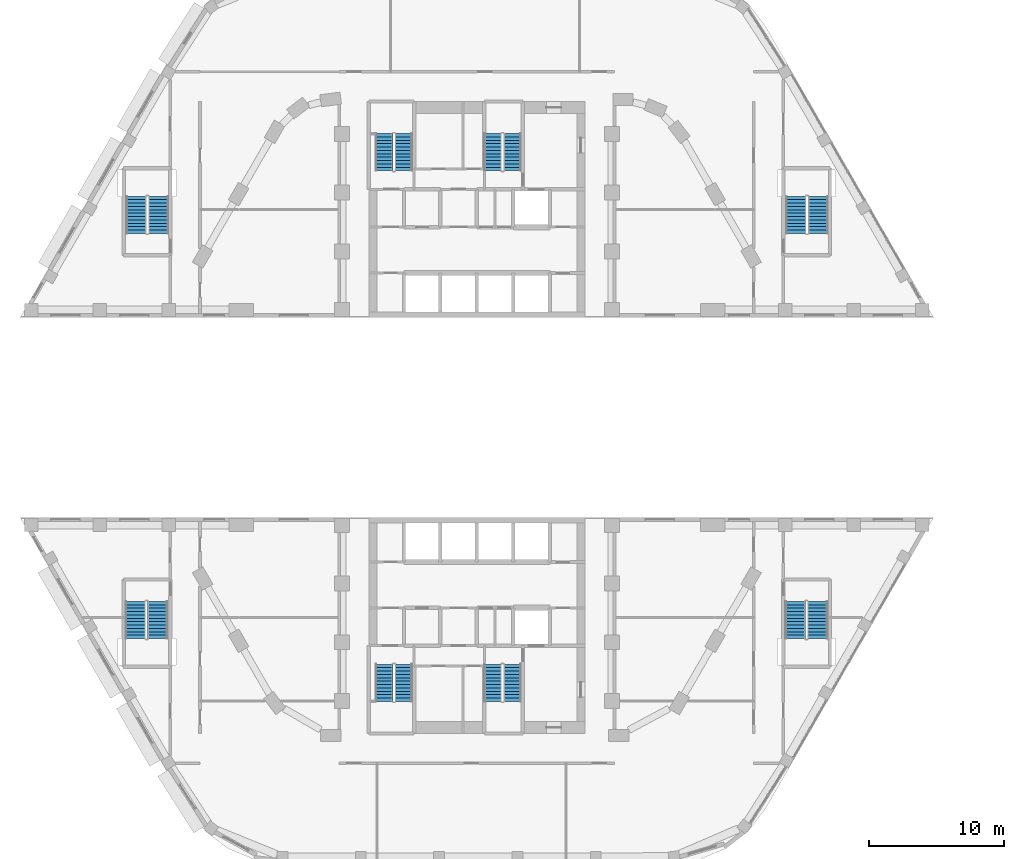
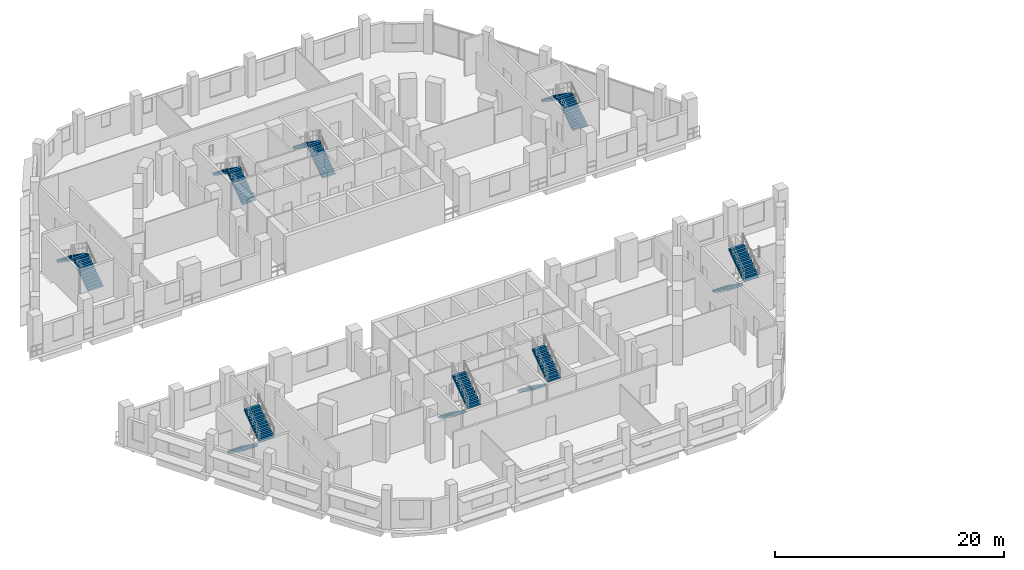
# One storey, part 26 of 33: 16 stair flights, 8 elements without a shape of their own.
"""IFC4 building model written with IfcOpenShell, lengths in metres."""

from ifc_helpers import new_model, si_unit, direction, frame, origin, place, context, subcontext, project, spatial, polyline, outline, extrude, material, type_object, element, aggregate, save


model = new_model("IFC4")

# Units and contexts
model_context = context("Model", 3, precision=1e-05, world=origin(), true_north=direction((0.0, 1.0)))
body_context = subcontext(model_context, "Body", "Model", "MODEL_VIEW")
ifc_project = project(units=[si_unit("LENGTHUNIT", "METRE"), si_unit("AREAUNIT", "SQUARE_METRE"), si_unit("VOLUMEUNIT", "CUBIC_METRE"), si_unit("PLANEANGLEUNIT", "RADIAN"), si_unit("MASSUNIT", "GRAM", prefix="KILO")], contexts=[model_context])

# Site, building, storey
site_placement = place(None, origin())
site = spatial("IfcSite", under=ifc_project, at=site_placement, CompositionType="ELEMENT")
building_placement = place(site_placement, origin())
building = spatial("IfcBuilding", under=site, at=building_placement, Name="Nakaniwa Court", CompositionType="ELEMENT")
storey_placement = place(building_placement, frame((0.0, 0.0, 19.800048828125)))
storey = spatial("IfcBuildingStorey", under=building, at=storey_placement, Name="L04", CompositionType="ELEMENT", Elevation=19.800048828125)

# Stair, stair flights
ifc_material = material(Name="Concrete C80/100", Category="concrete")
stair_type_1 = type_object("IfcStairType", Name="Dog leg stair 1300 wide 24 risers", PredefinedType="HALF_TURN_STAIR", material=ifc_material)
stair_1_placement = place(storey_placement, origin())
stair_1 = element("IfcStair", 1, at=stair_1_placement, inside=storey, type_object=stair_type_1, Name="L04 Stair ST1", PredefinedType="HALF_TURN_STAIR")
stair_flight_type_1 = type_object("IfcStairFlightType", Name="Stair flight 1300 wide 12 risers", PredefinedType="STRAIGHT", material=ifc_material)
stair_flight_1_placement = place(storey_placement, frame((74.574951171875, 98.27490234375, 0.0), z_axis=(0.0, 0.0, 1.0), x_axis=(0.0, 1.0, 0.0)))
stair_flight_1 = element("IfcStairFlight", 2, at=stair_flight_1_placement, type_object=stair_flight_type_1, Name="ST1 flight 1", NumberOfRisers=12, NumberOfTreads=11, PredefinedType="STRAIGHT", RiserHeight=0.175, TreadLength=0.25, context=body_context, shape_type="SweptSolid", body=[
    extrude(outline(polyline([(0.0, 0.0), (0.0, 0.02490234375), (0.0, 0.050048828125), (0.0, 0.074951171875), (0.0, 0.10009765625), (0.0, 0.125), (0.0, 0.14990234375), (0.0, 0.175048828125), (0.25, 0.175048828125), (0.25, 0.35009765625), (0.5, 0.35009765625), (0.5, 0.52490234375), (0.75, 0.52490234375), (0.75, 0.699951171875), (1.0, 0.699951171875), (1.0, 0.875), (1.25, 0.875), (1.25, 1.050048828125), (1.5, 1.050048828125), (1.5, 1.22509765625), (1.75, 1.22509765625), (1.75, 1.39990234375), (2.0, 1.39990234375), (2.0, 1.574951171875), (2.25, 1.574951171875), (2.25, 1.75), (2.5, 1.75), (2.5, 1.925048828125), (2.75, 1.925048828125), (2.75, 2.10009765625), (2.75, 2.048828125), (2.75, 1.997802734375), (2.75, 1.946533203125), (2.75, 1.8955078125), (2.75, 1.84423828125), (2.75, 1.793212890625), (2.75, 1.741943359375), (0.261474609375, 0.0), (0.0, 0.0)])), frame((0.0, 0.64990234375, 0.0), z_axis=(0.0, -1.0, 0.0), x_axis=(1.0, 0.0, 0.0)), (0.0, 0.0, 1.0), 1.300048828125),
])
stair_flight_2_placement = place(storey_placement, frame((73.125, 101.02490234375, 2.099853515625), z_axis=(0.0, 0.0, 1.0), x_axis=(0.0, -1.0, 0.0)))
stair_flight_2 = element("IfcStairFlight", 3, at=stair_flight_2_placement, type_object=stair_flight_type_1, Name="ST1 flight 2", NumberOfRisers=12, NumberOfTreads=11, PredefinedType="STRAIGHT", RiserHeight=0.175, TreadLength=0.25, context=body_context, shape_type="SweptSolid", body=[
    extrude(outline(polyline([(0.0, 0.0), (0.0, 0.02490234375), (0.0, 0.050048828125), (0.0, 0.074951171875), (0.0, 0.10009765625), (0.0, 0.125), (0.0, 0.14990234375), (0.0, 0.175048828125), (0.25, 0.175048828125), (0.25, 0.35009765625), (0.5, 0.35009765625), (0.5, 0.52490234375), (0.75, 0.52490234375), (0.75, 0.699951171875), (1.0, 0.699951171875), (1.0, 0.875), (1.25, 0.875), (1.25, 1.050048828125), (1.5, 1.050048828125), (1.5, 1.22509765625), (1.75, 1.22509765625), (1.75, 1.39990234375), (2.0, 1.39990234375), (2.0, 1.574951171875), (2.25, 1.574951171875), (2.25, 1.75), (2.5, 1.75), (2.5, 1.925048828125), (2.75, 1.925048828125), (2.75, 2.10009765625), (2.75, 2.048828125), (2.75, 1.997802734375), (2.75, 1.946533203125), (2.75, 1.8955078125), (2.75, 1.84423828125), (2.75, 1.793212890625), (2.75, 1.741943359375), (0.261474609375, 0.0), (0.0, 0.0)])), frame((0.0, 0.64990234375, 0.0), z_axis=(0.0, -1.0, 0.0), x_axis=(1.0, 0.0, 0.0)), (0.0, 0.0, 1.0), 1.300048828125),
])
aggregate(stair_1, [stair_flight_1, stair_flight_2])

stair_2_placement = place(storey_placement, origin())
stair_2 = element("IfcStair", 4, at=stair_2_placement, inside=storey, type_object=stair_type_1, Name="L04 Stair ST2", PredefinedType="HALF_TURN_STAIR")
stair_flight_3_placement = place(storey_placement, frame((82.625, 98.27490234375, 0.0), z_axis=(0.0, 0.0, 1.0), x_axis=(0.0, 1.0, 0.0)))
stair_flight_3 = element("IfcStairFlight", 5, at=stair_flight_3_placement, type_object=stair_flight_type_1, Name="ST2 flight 1", NumberOfRisers=12, NumberOfTreads=11, PredefinedType="STRAIGHT", RiserHeight=0.175, TreadLength=0.25, context=body_context, shape_type="SweptSolid", body=[
    extrude(outline(polyline([(0.0, 0.0), (0.0, 0.02490234375), (0.0, 0.050048828125), (0.0, 0.074951171875), (0.0, 0.10009765625), (0.0, 0.125), (0.0, 0.14990234375), (0.0, 0.175048828125), (0.25, 0.175048828125), (0.25, 0.35009765625), (0.5, 0.35009765625), (0.5, 0.52490234375), (0.75, 0.52490234375), (0.75, 0.699951171875), (1.0, 0.699951171875), (1.0, 0.875), (1.25, 0.875), (1.25, 1.050048828125), (1.5, 1.050048828125), (1.5, 1.22509765625), (1.75, 1.22509765625), (1.75, 1.39990234375), (2.0, 1.39990234375), (2.0, 1.574951171875), (2.25, 1.574951171875), (2.25, 1.75), (2.5, 1.75), (2.5, 1.925048828125), (2.75, 1.925048828125), (2.75, 2.10009765625), (2.75, 2.048828125), (2.75, 1.997802734375), (2.75, 1.946533203125), (2.75, 1.8955078125), (2.75, 1.84423828125), (2.75, 1.793212890625), (2.75, 1.741943359375), (0.261474609375, 0.0), (0.0, 0.0)])), frame((0.0, 0.64990234375, 0.0), z_axis=(0.0, -1.0, 0.0), x_axis=(1.0, 0.0, 0.0)), (0.0, 0.0, 1.0), 1.300048828125),
])
stair_flight_4_placement = place(storey_placement, frame((81.175048828125, 101.02490234375, 2.099853515625), z_axis=(0.0, 0.0, 1.0), x_axis=(0.0, -1.0, 0.0)))
stair_flight_4 = element("IfcStairFlight", 6, at=stair_flight_4_placement, type_object=stair_flight_type_1, Name="ST2 flight 2", NumberOfRisers=12, NumberOfTreads=11, PredefinedType="STRAIGHT", RiserHeight=0.175, TreadLength=0.25, context=body_context, shape_type="SweptSolid", body=[
    extrude(outline(polyline([(0.0, 0.0), (0.0, 0.02490234375), (0.0, 0.050048828125), (0.0, 0.074951171875), (0.0, 0.10009765625), (0.0, 0.125), (0.0, 0.14990234375), (0.0, 0.175048828125), (0.25, 0.175048828125), (0.25, 0.35009765625), (0.5, 0.35009765625), (0.5, 0.52490234375), (0.75, 0.52490234375), (0.75, 0.699951171875), (1.0, 0.699951171875), (1.0, 0.875), (1.25, 0.875), (1.25, 1.050048828125), (1.5, 1.050048828125), (1.5, 1.22509765625), (1.75, 1.22509765625), (1.75, 1.39990234375), (2.0, 1.39990234375), (2.0, 1.574951171875), (2.25, 1.574951171875), (2.25, 1.75), (2.5, 1.75), (2.5, 1.925048828125), (2.75, 1.925048828125), (2.75, 2.10009765625), (2.75, 2.048828125), (2.75, 1.997802734375), (2.75, 1.946533203125), (2.75, 1.8955078125), (2.75, 1.84423828125), (2.75, 1.793212890625), (2.75, 1.741943359375), (0.261474609375, 0.0), (0.0, 0.0)])), frame((0.0, 0.64990234375, 0.0), z_axis=(0.0, -1.0, 0.0), x_axis=(1.0, 0.0, 0.0)), (0.0, 0.0, 1.0), 1.300048828125),
])
aggregate(stair_2, [stair_flight_3, stair_flight_4])

stair_3_placement = place(storey_placement, origin())
stair_3 = element("IfcStair", 7, at=stair_3_placement, inside=storey, type_object=stair_type_1, Name="L04 Stair ST3", PredefinedType="HALF_TURN_STAIR")
stair_flight_5_placement = place(storey_placement, frame((73.125, 61.72509765625, 0.0), z_axis=(0.0, 0.0, 1.0), x_axis=(0.0, -1.0, 0.0)))
stair_flight_5 = element("IfcStairFlight", 8, at=stair_flight_5_placement, type_object=stair_flight_type_1, Name="ST3 flight 1", NumberOfRisers=12, NumberOfTreads=11, PredefinedType="STRAIGHT", RiserHeight=0.175, TreadLength=0.25, context=body_context, shape_type="SweptSolid", body=[
    extrude(outline(polyline([(0.0, 0.0), (0.0, 0.02490234375), (0.0, 0.050048828125), (0.0, 0.074951171875), (0.0, 0.10009765625), (0.0, 0.125), (0.0, 0.14990234375), (0.0, 0.175048828125), (0.25, 0.175048828125), (0.25, 0.35009765625), (0.5, 0.35009765625), (0.5, 0.52490234375), (0.75, 0.52490234375), (0.75, 0.699951171875), (1.0, 0.699951171875), (1.0, 0.875), (1.25, 0.875), (1.25, 1.050048828125), (1.5, 1.050048828125), (1.5, 1.22509765625), (1.75, 1.22509765625), (1.75, 1.39990234375), (2.0, 1.39990234375), (2.0, 1.574951171875), (2.25, 1.574951171875), (2.25, 1.75), (2.5, 1.75), (2.5, 1.925048828125), (2.75, 1.925048828125), (2.75, 2.10009765625), (2.75, 2.048828125), (2.75, 1.997802734375), (2.75, 1.946533203125), (2.75, 1.8955078125), (2.75, 1.84423828125), (2.75, 1.793212890625), (2.75, 1.741943359375), (0.261474609375, 0.0), (0.0, 0.0)])), frame((0.0, 0.64990234375, 0.0), z_axis=(0.0, -1.0, 0.0), x_axis=(1.0, 0.0, 0.0)), (0.0, 0.0, 1.0), 1.300048828125),
])
stair_flight_6_placement = place(storey_placement, frame((74.574951171875, 58.97509765625, 2.099853515625), z_axis=(0.0, 0.0, 1.0), x_axis=(0.0, 1.0, 0.0)))
stair_flight_6 = element("IfcStairFlight", 9, at=stair_flight_6_placement, type_object=stair_flight_type_1, Name="ST3 flight 2", NumberOfRisers=12, NumberOfTreads=11, PredefinedType="STRAIGHT", RiserHeight=0.175, TreadLength=0.25, context=body_context, shape_type="SweptSolid", body=[
    extrude(outline(polyline([(0.0, 0.0), (0.0, 0.02490234375), (0.0, 0.050048828125), (0.0, 0.074951171875), (0.0, 0.10009765625), (0.0, 0.125), (0.0, 0.14990234375), (0.0, 0.175048828125), (0.25, 0.175048828125), (0.25, 0.35009765625), (0.5, 0.35009765625), (0.5, 0.52490234375), (0.75, 0.52490234375), (0.75, 0.699951171875), (1.0, 0.699951171875), (1.0, 0.875), (1.25, 0.875), (1.25, 1.050048828125), (1.5, 1.050048828125), (1.5, 1.22509765625), (1.75, 1.22509765625), (1.75, 1.39990234375), (2.0, 1.39990234375), (2.0, 1.574951171875), (2.25, 1.574951171875), (2.25, 1.75), (2.5, 1.75), (2.5, 1.925048828125), (2.75, 1.925048828125), (2.75, 2.10009765625), (2.75, 2.048828125), (2.75, 1.997802734375), (2.75, 1.946533203125), (2.75, 1.8955078125), (2.75, 1.84423828125), (2.75, 1.793212890625), (2.75, 1.741943359375), (0.261474609375, 0.0), (0.0, 0.0)])), frame((0.0, 0.64990234375, 0.0), z_axis=(0.0, -1.0, 0.0), x_axis=(1.0, 0.0, 0.0)), (0.0, 0.0, 1.0), 1.300048828125),
])
aggregate(stair_3, [stair_flight_5, stair_flight_6])

stair_4_placement = place(storey_placement, origin())
stair_4 = element("IfcStair", 10, at=stair_4_placement, inside=storey, type_object=stair_type_1, Name="L04 Stair ST4", PredefinedType="HALF_TURN_STAIR")
stair_flight_7_placement = place(storey_placement, frame((81.175048828125, 61.72509765625, 0.0), z_axis=(0.0, 0.0, 1.0), x_axis=(0.0, -1.0, 0.0)))
stair_flight_7 = element("IfcStairFlight", 11, at=stair_flight_7_placement, type_object=stair_flight_type_1, Name="ST4 flight 1", NumberOfRisers=12, NumberOfTreads=11, PredefinedType="STRAIGHT", RiserHeight=0.175, TreadLength=0.25, context=body_context, shape_type="SweptSolid", body=[
    extrude(outline(polyline([(0.0, 0.0), (0.0, 0.02490234375), (0.0, 0.050048828125), (0.0, 0.074951171875), (0.0, 0.10009765625), (0.0, 0.125), (0.0, 0.14990234375), (0.0, 0.175048828125), (0.25, 0.175048828125), (0.25, 0.35009765625), (0.5, 0.35009765625), (0.5, 0.52490234375), (0.75, 0.52490234375), (0.75, 0.699951171875), (1.0, 0.699951171875), (1.0, 0.875), (1.25, 0.875), (1.25, 1.050048828125), (1.5, 1.050048828125), (1.5, 1.22509765625), (1.75, 1.22509765625), (1.75, 1.39990234375), (2.0, 1.39990234375), (2.0, 1.574951171875), (2.25, 1.574951171875), (2.25, 1.75), (2.5, 1.75), (2.5, 1.925048828125), (2.75, 1.925048828125), (2.75, 2.10009765625), (2.75, 2.048828125), (2.75, 1.997802734375), (2.75, 1.946533203125), (2.75, 1.8955078125), (2.75, 1.84423828125), (2.75, 1.793212890625), (2.75, 1.741943359375), (0.261474609375, 0.0), (0.0, 0.0)])), frame((0.0, 0.64990234375, 0.0), z_axis=(0.0, -1.0, 0.0), x_axis=(1.0, 0.0, 0.0)), (0.0, 0.0, 1.0), 1.300048828125),
])
stair_flight_8_placement = place(storey_placement, frame((82.625, 58.97509765625, 2.099853515625), z_axis=(0.0, 0.0, 1.0), x_axis=(0.0, 1.0, 0.0)))
stair_flight_8 = element("IfcStairFlight", 12, at=stair_flight_8_placement, type_object=stair_flight_type_1, Name="ST4 flight 2", NumberOfRisers=12, NumberOfTreads=11, PredefinedType="STRAIGHT", RiserHeight=0.175, TreadLength=0.25, context=body_context, shape_type="SweptSolid", body=[
    extrude(outline(polyline([(0.0, 0.0), (0.0, 0.02490234375), (0.0, 0.050048828125), (0.0, 0.074951171875), (0.0, 0.10009765625), (0.0, 0.125), (0.0, 0.14990234375), (0.0, 0.175048828125), (0.25, 0.175048828125), (0.25, 0.35009765625), (0.5, 0.35009765625), (0.5, 0.52490234375), (0.75, 0.52490234375), (0.75, 0.699951171875), (1.0, 0.699951171875), (1.0, 0.875), (1.25, 0.875), (1.25, 1.050048828125), (1.5, 1.050048828125), (1.5, 1.22509765625), (1.75, 1.22509765625), (1.75, 1.39990234375), (2.0, 1.39990234375), (2.0, 1.574951171875), (2.25, 1.574951171875), (2.25, 1.75), (2.5, 1.75), (2.5, 1.925048828125), (2.75, 1.925048828125), (2.75, 2.10009765625), (2.75, 2.048828125), (2.75, 1.997802734375), (2.75, 1.946533203125), (2.75, 1.8955078125), (2.75, 1.84423828125), (2.75, 1.793212890625), (2.75, 1.741943359375), (0.261474609375, 0.0), (0.0, 0.0)])), frame((0.0, 0.64990234375, 0.0), z_axis=(0.0, -1.0, 0.0), x_axis=(1.0, 0.0, 0.0)), (0.0, 0.0, 1.0), 1.300048828125),
])
aggregate(stair_4, [stair_flight_7, stair_flight_8])

stair_type_2 = type_object("IfcStairType", Name="Dog leg stair 1500 wide 24 risers", PredefinedType="HALF_TURN_STAIR", material=ifc_material)
stair_5_placement = place(storey_placement, origin())
stair_5 = element("IfcStair", 13, at=stair_5_placement, inside=storey, type_object=stair_type_2, Name="L04 Stair SS1", PredefinedType="HALF_TURN_STAIR")
stair_flight_type_2 = type_object("IfcStairFlightType", Name="Stair flight 1500 wide 12 risers", PredefinedType="STRAIGHT", material=ifc_material)
stair_flight_9_placement = place(storey_placement, frame((105.27490234375, 93.625, 0.0), z_axis=(0.0, 0.0, 1.0), x_axis=(0.0, 1.0, 0.0)))
stair_flight_9 = element("IfcStairFlight", 14, at=stair_flight_9_placement, type_object=stair_flight_type_2, Name="SS1 flight 1", NumberOfRisers=12, NumberOfTreads=11, PredefinedType="STRAIGHT", RiserHeight=0.175, TreadLength=0.25, context=body_context, shape_type="SweptSolid", body=[
    extrude(outline(polyline([(0.0, 0.0), (0.0, 0.02490234375), (0.0, 0.050048828125), (0.0, 0.074951171875), (0.0, 0.10009765625), (0.0, 0.125), (0.0, 0.14990234375), (0.0, 0.175048828125), (0.25, 0.175048828125), (0.25, 0.35009765625), (0.5, 0.35009765625), (0.5, 0.52490234375), (0.75, 0.52490234375), (0.75, 0.699951171875), (1.0, 0.699951171875), (1.0, 0.875), (1.25, 0.875), (1.25, 1.050048828125), (1.5, 1.050048828125), (1.5, 1.22509765625), (1.75, 1.22509765625), (1.75, 1.39990234375), (2.0, 1.39990234375), (2.0, 1.574951171875), (2.25, 1.574951171875), (2.25, 1.75), (2.5, 1.75), (2.5, 1.925048828125), (2.75, 1.925048828125), (2.75, 2.10009765625), (2.75, 2.048828125), (2.75, 1.997802734375), (2.75, 1.946533203125), (2.75, 1.8955078125), (2.75, 1.84423828125), (2.75, 1.793212890625), (2.75, 1.741943359375), (0.261474609375, 0.0), (0.0, 0.0)])), frame((0.0, 0.75, 0.0), z_axis=(0.0, -1.0, 0.0), x_axis=(1.0, 0.0, 0.0)), (0.0, 0.0, 1.0), 1.5),
])
stair_flight_10_placement = place(storey_placement, frame((103.625, 96.375, 2.099853515625), z_axis=(0.0, 0.0, 1.0), x_axis=(0.0, -1.0, 0.0)))
stair_flight_10 = element("IfcStairFlight", 15, at=stair_flight_10_placement, type_object=stair_flight_type_2, Name="SS1 flight 2", NumberOfRisers=12, NumberOfTreads=11, PredefinedType="STRAIGHT", RiserHeight=0.175, TreadLength=0.25, context=body_context, shape_type="SweptSolid", body=[
    extrude(outline(polyline([(0.0, 0.0), (0.0, 0.02490234375), (0.0, 0.050048828125), (0.0, 0.074951171875), (0.0, 0.10009765625), (0.0, 0.125), (0.0, 0.14990234375), (0.0, 0.175048828125), (0.25, 0.175048828125), (0.25, 0.35009765625), (0.5, 0.35009765625), (0.5, 0.52490234375), (0.75, 0.52490234375), (0.75, 0.699951171875), (1.0, 0.699951171875), (1.0, 0.875), (1.25, 0.875), (1.25, 1.050048828125), (1.5, 1.050048828125), (1.5, 1.22509765625), (1.75, 1.22509765625), (1.75, 1.39990234375), (2.0, 1.39990234375), (2.0, 1.574951171875), (2.25, 1.574951171875), (2.25, 1.75), (2.5, 1.75), (2.5, 1.925048828125), (2.75, 1.925048828125), (2.75, 2.10009765625), (2.75, 2.048828125), (2.75, 1.997802734375), (2.75, 1.946533203125), (2.75, 1.8955078125), (2.75, 1.84423828125), (2.75, 1.793212890625), (2.75, 1.741943359375), (0.261474609375, 0.0), (0.0, 0.0)])), frame((0.0, 0.75, 0.0), z_axis=(0.0, -1.0, 0.0), x_axis=(1.0, 0.0, 0.0)), (0.0, 0.0, 1.0), 1.5),
])
aggregate(stair_5, [stair_flight_9, stair_flight_10])

stair_6_placement = place(storey_placement, origin())
stair_6 = element("IfcStair", 16, at=stair_6_placement, inside=storey, type_object=stair_type_2, Name="L04 Stair SS2", PredefinedType="HALF_TURN_STAIR")
stair_flight_11_placement = place(storey_placement, frame((56.425048828125, 93.625, 0.0), z_axis=(0.0, 0.0, 1.0), x_axis=(0.0, 1.0, 0.0)))
stair_flight_11 = element("IfcStairFlight", 17, at=stair_flight_11_placement, type_object=stair_flight_type_2, Name="SS2 flight 1", NumberOfRisers=12, NumberOfTreads=11, PredefinedType="STRAIGHT", RiserHeight=0.175, TreadLength=0.25, context=body_context, shape_type="SweptSolid", body=[
    extrude(outline(polyline([(0.0, 0.0), (0.0, 0.02490234375), (0.0, 0.050048828125), (0.0, 0.074951171875), (0.0, 0.10009765625), (0.0, 0.125), (0.0, 0.14990234375), (0.0, 0.175048828125), (0.25, 0.175048828125), (0.25, 0.35009765625), (0.5, 0.35009765625), (0.5, 0.52490234375), (0.75, 0.52490234375), (0.75, 0.699951171875), (1.0, 0.699951171875), (1.0, 0.875), (1.25, 0.875), (1.25, 1.050048828125), (1.5, 1.050048828125), (1.5, 1.22509765625), (1.75, 1.22509765625), (1.75, 1.39990234375), (2.0, 1.39990234375), (2.0, 1.574951171875), (2.25, 1.574951171875), (2.25, 1.75), (2.5, 1.75), (2.5, 1.925048828125), (2.75, 1.925048828125), (2.75, 2.10009765625), (2.75, 2.048828125), (2.75, 1.997802734375), (2.75, 1.946533203125), (2.75, 1.8955078125), (2.75, 1.84423828125), (2.75, 1.793212890625), (2.75, 1.741943359375), (0.261474609375, 0.0), (0.0, 0.0)])), frame((0.0, 0.75, 0.0), z_axis=(0.0, -1.0, 0.0), x_axis=(1.0, 0.0, 0.0)), (0.0, 0.0, 1.0), 1.5),
])
stair_flight_12_placement = place(storey_placement, frame((54.77490234375, 96.375, 2.099853515625), z_axis=(0.0, 0.0, 1.0), x_axis=(0.0, -1.0, 0.0)))
stair_flight_12 = element("IfcStairFlight", 18, at=stair_flight_12_placement, type_object=stair_flight_type_2, Name="SS2 flight 2", NumberOfRisers=12, NumberOfTreads=11, PredefinedType="STRAIGHT", RiserHeight=0.175, TreadLength=0.25, context=body_context, shape_type="SweptSolid", body=[
    extrude(outline(polyline([(0.0, 0.0), (0.0, 0.02490234375), (0.0, 0.050048828125), (0.0, 0.074951171875), (0.0, 0.10009765625), (0.0, 0.125), (0.0, 0.14990234375), (0.0, 0.175048828125), (0.25, 0.175048828125), (0.25, 0.35009765625), (0.5, 0.35009765625), (0.5, 0.52490234375), (0.75, 0.52490234375), (0.75, 0.699951171875), (1.0, 0.699951171875), (1.0, 0.875), (1.25, 0.875), (1.25, 1.050048828125), (1.5, 1.050048828125), (1.5, 1.22509765625), (1.75, 1.22509765625), (1.75, 1.39990234375), (2.0, 1.39990234375), (2.0, 1.574951171875), (2.25, 1.574951171875), (2.25, 1.75), (2.5, 1.75), (2.5, 1.925048828125), (2.75, 1.925048828125), (2.75, 2.10009765625), (2.75, 2.048828125), (2.75, 1.997802734375), (2.75, 1.946533203125), (2.75, 1.8955078125), (2.75, 1.84423828125), (2.75, 1.793212890625), (2.75, 1.741943359375), (0.261474609375, 0.0), (0.0, 0.0)])), frame((0.0, 0.75, 0.0), z_axis=(0.0, -1.0, 0.0), x_axis=(1.0, 0.0, 0.0)), (0.0, 0.0, 1.0), 1.5),
])
aggregate(stair_6, [stair_flight_11, stair_flight_12])

stair_7_placement = place(storey_placement, origin())
stair_7 = element("IfcStair", 19, at=stair_7_placement, inside=storey, type_object=stair_type_2, Name="L04 Stair SS3", PredefinedType="HALF_TURN_STAIR")
stair_flight_13_placement = place(storey_placement, frame((103.574951171875, 66.375, 0.0), z_axis=(0.0, 0.0, 1.0), x_axis=(0.0, -1.0, 0.0)))
stair_flight_13 = element("IfcStairFlight", 20, at=stair_flight_13_placement, type_object=stair_flight_type_2, Name="SS3 flight 1", NumberOfRisers=12, NumberOfTreads=11, PredefinedType="STRAIGHT", RiserHeight=0.175, TreadLength=0.25, context=body_context, shape_type="SweptSolid", body=[
    extrude(outline(polyline([(0.0, 0.0), (0.0, 0.02490234375), (0.0, 0.050048828125), (0.0, 0.074951171875), (0.0, 0.10009765625), (0.0, 0.125), (0.0, 0.14990234375), (0.0, 0.175048828125), (0.25, 0.175048828125), (0.25, 0.35009765625), (0.5, 0.35009765625), (0.5, 0.52490234375), (0.75, 0.52490234375), (0.75, 0.699951171875), (1.0, 0.699951171875), (1.0, 0.875), (1.25, 0.875), (1.25, 1.050048828125), (1.5, 1.050048828125), (1.5, 1.22509765625), (1.75, 1.22509765625), (1.75, 1.39990234375), (2.0, 1.39990234375), (2.0, 1.574951171875), (2.25, 1.574951171875), (2.25, 1.75), (2.5, 1.75), (2.5, 1.925048828125), (2.75, 1.925048828125), (2.75, 2.10009765625), (2.75, 2.048828125), (2.75, 1.997802734375), (2.75, 1.946533203125), (2.75, 1.8955078125), (2.75, 1.84423828125), (2.75, 1.793212890625), (2.75, 1.741943359375), (0.261474609375, 0.0), (0.0, 0.0)])), frame((0.0, 0.75, 0.0), z_axis=(0.0, -1.0, 0.0), x_axis=(1.0, 0.0, 0.0)), (0.0, 0.0, 1.0), 1.5),
])
stair_flight_14_placement = place(storey_placement, frame((105.22509765625, 63.625, 2.099853515625), z_axis=(0.0, 0.0, 1.0), x_axis=(0.0, 1.0, 0.0)))
stair_flight_14 = element("IfcStairFlight", 21, at=stair_flight_14_placement, type_object=stair_flight_type_2, Name="SS3 flight 2", NumberOfRisers=12, NumberOfTreads=11, PredefinedType="STRAIGHT", RiserHeight=0.175, TreadLength=0.25, context=body_context, shape_type="SweptSolid", body=[
    extrude(outline(polyline([(0.0, 0.0), (0.0, 0.02490234375), (0.0, 0.050048828125), (0.0, 0.074951171875), (0.0, 0.10009765625), (0.0, 0.125), (0.0, 0.14990234375), (0.0, 0.175048828125), (0.25, 0.175048828125), (0.25, 0.35009765625), (0.5, 0.35009765625), (0.5, 0.52490234375), (0.75, 0.52490234375), (0.75, 0.699951171875), (1.0, 0.699951171875), (1.0, 0.875), (1.25, 0.875), (1.25, 1.050048828125), (1.5, 1.050048828125), (1.5, 1.22509765625), (1.75, 1.22509765625), (1.75, 1.39990234375), (2.0, 1.39990234375), (2.0, 1.574951171875), (2.25, 1.574951171875), (2.25, 1.75), (2.5, 1.75), (2.5, 1.925048828125), (2.75, 1.925048828125), (2.75, 2.10009765625), (2.75, 2.048828125), (2.75, 1.997802734375), (2.75, 1.946533203125), (2.75, 1.8955078125), (2.75, 1.84423828125), (2.75, 1.793212890625), (2.75, 1.741943359375), (0.261474609375, 0.0), (0.0, 0.0)])), frame((0.0, 0.75, 0.0), z_axis=(0.0, -1.0, 0.0), x_axis=(1.0, 0.0, 0.0)), (0.0, 0.0, 1.0), 1.5),
])
aggregate(stair_7, [stair_flight_13, stair_flight_14])

stair_8_placement = place(storey_placement, origin())
stair_8 = element("IfcStair", 22, at=stair_8_placement, inside=storey, type_object=stair_type_2, Name="L04 Stair SS4", PredefinedType="HALF_TURN_STAIR")
stair_flight_15_placement = place(storey_placement, frame((54.72509765625, 66.375, 0.0), z_axis=(0.0, 0.0, 1.0), x_axis=(0.0, -1.0, 0.0)))
stair_flight_15 = element("IfcStairFlight", 23, at=stair_flight_15_placement, type_object=stair_flight_type_2, Name="SS4 flight 1", NumberOfRisers=12, NumberOfTreads=11, PredefinedType="STRAIGHT", RiserHeight=0.175, TreadLength=0.25, context=body_context, shape_type="SweptSolid", body=[
    extrude(outline(polyline([(0.0, 0.0), (0.0, 0.02490234375), (0.0, 0.050048828125), (0.0, 0.074951171875), (0.0, 0.10009765625), (0.0, 0.125), (0.0, 0.14990234375), (0.0, 0.175048828125), (0.25, 0.175048828125), (0.25, 0.35009765625), (0.5, 0.35009765625), (0.5, 0.52490234375), (0.75, 0.52490234375), (0.75, 0.699951171875), (1.0, 0.699951171875), (1.0, 0.875), (1.25, 0.875), (1.25, 1.050048828125), (1.5, 1.050048828125), (1.5, 1.22509765625), (1.75, 1.22509765625), (1.75, 1.39990234375), (2.0, 1.39990234375), (2.0, 1.574951171875), (2.25, 1.574951171875), (2.25, 1.75), (2.5, 1.75), (2.5, 1.925048828125), (2.75, 1.925048828125), (2.75, 2.10009765625), (2.75, 2.048828125), (2.75, 1.997802734375), (2.75, 1.946533203125), (2.75, 1.8955078125), (2.75, 1.84423828125), (2.75, 1.793212890625), (2.75, 1.741943359375), (0.261474609375, 0.0), (0.0, 0.0)])), frame((0.0, 0.75, 0.0), z_axis=(0.0, -1.0, 0.0), x_axis=(1.0, 0.0, 0.0)), (0.0, 0.0, 1.0), 1.5),
])
stair_flight_16_placement = place(storey_placement, frame((56.375, 63.625, 2.099853515625), z_axis=(0.0, 0.0, 1.0), x_axis=(0.0, 1.0, 0.0)))
stair_flight_16 = element("IfcStairFlight", 24, at=stair_flight_16_placement, type_object=stair_flight_type_2, Name="SS4 flight 2", NumberOfRisers=12, NumberOfTreads=11, PredefinedType="STRAIGHT", RiserHeight=0.175, TreadLength=0.25, context=body_context, shape_type="SweptSolid", body=[
    extrude(outline(polyline([(0.0, 0.0), (0.0, 0.02490234375), (0.0, 0.050048828125), (0.0, 0.074951171875), (0.0, 0.10009765625), (0.0, 0.125), (0.0, 0.14990234375), (0.0, 0.175048828125), (0.25, 0.175048828125), (0.25, 0.35009765625), (0.5, 0.35009765625), (0.5, 0.52490234375), (0.75, 0.52490234375), (0.75, 0.699951171875), (1.0, 0.699951171875), (1.0, 0.875), (1.25, 0.875), (1.25, 1.050048828125), (1.5, 1.050048828125), (1.5, 1.22509765625), (1.75, 1.22509765625), (1.75, 1.39990234375), (2.0, 1.39990234375), (2.0, 1.574951171875), (2.25, 1.574951171875), (2.25, 1.75), (2.5, 1.75), (2.5, 1.925048828125), (2.75, 1.925048828125), (2.75, 2.10009765625), (2.75, 2.048828125), (2.75, 1.997802734375), (2.75, 1.946533203125), (2.75, 1.8955078125), (2.75, 1.84423828125), (2.75, 1.793212890625), (2.75, 1.741943359375), (0.261474609375, 0.0), (0.0, 0.0)])), frame((0.0, 0.75, 0.0), z_axis=(0.0, -1.0, 0.0), x_axis=(1.0, 0.0, 0.0)), (0.0, 0.0, 1.0), 1.5),
])
aggregate(stair_8, [stair_flight_15, stair_flight_16])

save(model, "model.ifc")
